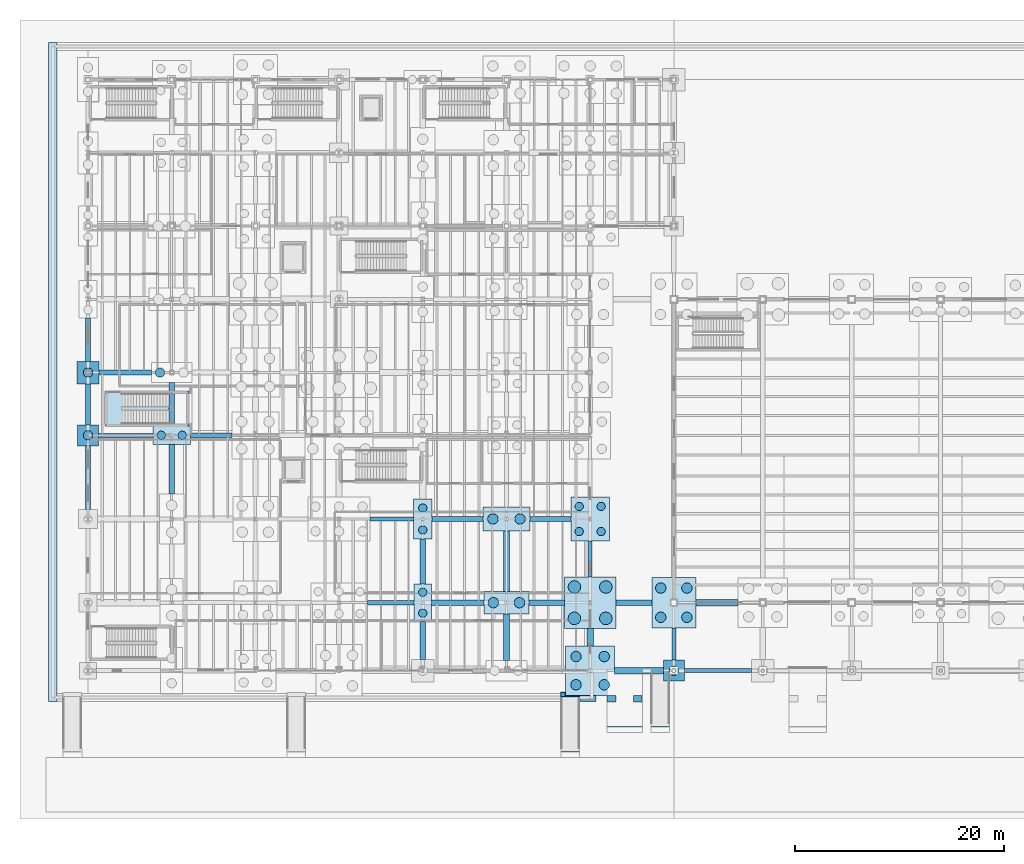
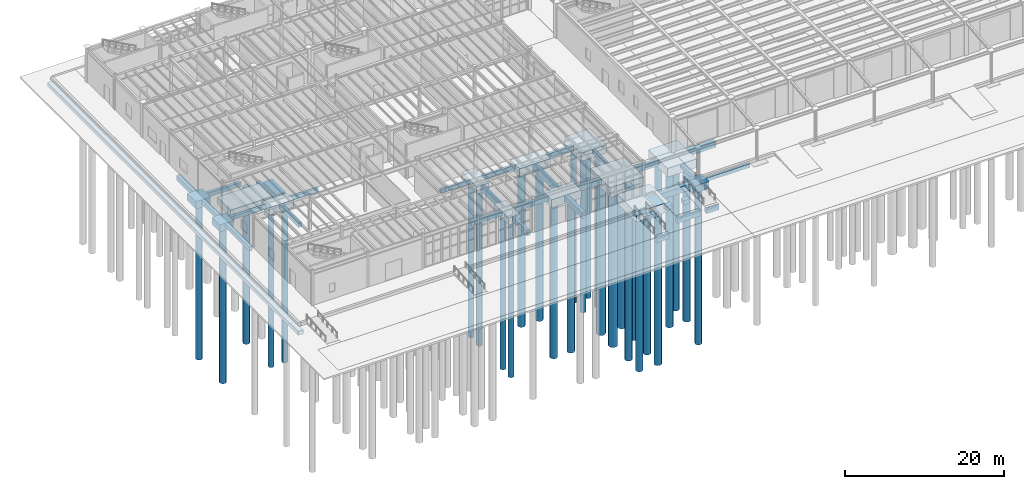
# One storey, part 2 of 86: 47 footings, 30 piles.
"""IFC4 building model written with IfcOpenShell, lengths in metres."""

from ifc_helpers import new_model, si_unit, direction, frame, origin, origin_2d, place, context, subcontext, project, spatial, polyline, rectangle, circle, outline, extrude, material, material_profile, profile_set, type_object, element, save


model = new_model("IFC4")

# Units and contexts
model_context = context("Model", 3, precision=1e-05, world=origin(), true_north=direction((0.0, 1.0)))
body_context = subcontext(model_context, "Body", "Model", "MODEL_VIEW")
ifc_project = project(units=[si_unit("LENGTHUNIT", "METRE"), si_unit("AREAUNIT", "SQUARE_METRE"), si_unit("VOLUMEUNIT", "CUBIC_METRE"), si_unit("PLANEANGLEUNIT", "RADIAN"), si_unit("MASSUNIT", "GRAM", prefix="KILO"), si_unit("THERMODYNAMICTEMPERATUREUNIT", "KELVIN"), si_unit("POWERUNIT", "WATT")], contexts=[model_context])

# Site, building, storey
site_placement = place(None, origin())
site = spatial("IfcSite", under=ifc_project, at=site_placement, CompositionType="ELEMENT")
building_placement = place(site_placement, origin())
building = spatial("IfcBuilding", under=site, at=building_placement, Name="Zhenchuan Central Fire Station", CompositionType="ELEMENT")
storey_placement = place(building_placement, frame((0.0, 0.0, 0.449951171875)))
storey = spatial("IfcBuildingStorey", under=building, at=storey_placement, Name="L01", CompositionType="ELEMENT", Elevation=0.449951171875)

# Footings
ifc_material_1 = material(Name="Concrete C35/45", Category="concrete")
footing_type_1 = type_object("IfcFootingType", Name="FB-380x550", PredefinedType="FOOTING_BEAM", material=ifc_material_1)
footing_1_placement = place(storey_placement, frame((0.0, 0.0, -1.0)))
element("IfcFooting", 1, at=footing_1_placement, inside=storey, type_object=footing_type_1, Name="Foundation Tie Beam FB-X-008", PredefinedType="FOOTING_BEAM", context=body_context, shape_type="SweptSolid", body=[
    extrude(outline(polyline([(57.0, -0.18994140625), (63.425048828125, -0.18994140625), (63.425048828125, 0.18994140625), (57.0, 0.18994140625), (57.0, -0.18994140625)])), origin(), (0.0, 0.0, 1.0), 0.550048828125),
])
footing_2_placement = place(storey_placement, frame((0.0, 0.0, -1.0)))
element("IfcFooting", 2, at=footing_2_placement, inside=storey, type_object=footing_type_1, Name="Foundation Tie Beam FB-X-050", PredefinedType="FOOTING_BEAM", context=body_context, shape_type="SweptSolid", body=[
    extrude(outline(polyline([(1.0, 22.31005859375), (6.199951171875, 22.31005859375), (6.199951171875, 22.68994140625), (1.0, 22.68994140625), (1.0, 22.31005859375)])), origin(), (0.0, 0.0, 1.0), 0.550048828125),
])
footing_3_placement = place(storey_placement, frame((0.0, 0.0, -1.0)))
element("IfcFooting", 3, at=footing_3_placement, inside=storey, type_object=footing_type_1, Name="Foundation Tie Beam FB-Y-169", PredefinedType="FOOTING_BEAM", context=body_context, shape_type="SweptSolid", body=[
    extrude(outline(polyline([(47.81005859375, 8.949951171875), (48.18994140625, 8.949951171875), (48.18994140625, 12.39990234375), (47.81005859375, 12.39990234375), (47.81005859375, 8.949951171875)])), origin(), (0.0, 0.0, 1.0), 0.550048828125),
])
footing_4_placement = place(storey_placement, frame((0.0, 0.0, -1.0)))
element("IfcFooting", 4, at=footing_4_placement, inside=storey, type_object=footing_type_1, Name="Foundation Tie Beam FB-Y-176", PredefinedType="FOOTING_BEAM", context=body_context, shape_type="SweptSolid", body=[
    extrude(outline(polyline([(55.81005859375, 1.0), (56.18994140625, 1.0), (56.18994140625, 4.10009765625), (55.81005859375, 4.10009765625), (55.81005859375, 1.0)])), origin(), (0.0, 0.0, 1.0), 0.550048828125),
])
footing_type_2 = type_object("IfcFootingType", Name="FB-400x600", PredefinedType="FOOTING_BEAM", material=ifc_material_1)
footing_5_placement = place(storey_placement, frame((0.0, 0.0, -1.050048828125)))
element("IfcFooting", 5, at=footing_5_placement, inside=storey, type_object=footing_type_2, Name="Foundation Tie Beam FB-X-044", PredefinedType="FOOTING_BEAM", context=body_context, shape_type="SweptSolid", body=[
    extrude(outline(polyline([(26.949951171875, 14.300048828125), (31.10009765625, 14.300048828125), (31.10009765625, 14.699951171875), (26.949951171875, 14.699951171875), (26.949951171875, 14.300048828125)])), origin(), (0.0, 0.0, 1.0), 0.60009765625),
])
footing_6_placement = place(storey_placement, frame((0.0, 0.0, -1.050048828125)))
element("IfcFooting", 6, at=footing_6_placement, inside=storey, type_object=footing_type_2, Name="Foundation Tie Beam FB-X-051", PredefinedType="FOOTING_BEAM", context=body_context, shape_type="SweptSolid", body=[
    extrude(outline(polyline([(9.800048828125, 22.300048828125), (13.75, 22.300048828125), (13.75, 22.699951171875), (9.800048828125, 22.699951171875), (9.800048828125, 22.300048828125)])), origin(), (0.0, 0.0, 1.0), 0.60009765625),
])
footing_type_3 = type_object("IfcFootingType", Name="FB-450x650", PredefinedType="FOOTING_BEAM", material=ifc_material_1)
footing_7_placement = place(storey_placement, frame((0.0, 0.0, -1.099853515625)))
element("IfcFooting", 7, at=footing_7_placement, inside=storey, type_object=footing_type_3, Name="Foundation Tie Beam FB-X-024", PredefinedType="FOOTING_BEAM", context=body_context, shape_type="SweptSolid", body=[
    extrude(outline(polyline([(26.699951171875, 6.27490234375), (31.14990234375, 6.27490234375), (31.14990234375, 6.72509765625), (26.699951171875, 6.72509765625), (26.699951171875, 6.27490234375)])), origin(), (0.0, 0.0, 1.0), 0.64990234375),
])
footing_8_placement = place(storey_placement, frame((0.0, 0.0, -1.099853515625)))
element("IfcFooting", 8, at=footing_8_placement, inside=storey, type_object=footing_type_3, Name="Foundation Tie Beam FB-X-045", PredefinedType="FOOTING_BEAM", context=body_context, shape_type="SweptSolid", body=[
    extrude(outline(polyline([(32.89990234375, 14.27490234375), (37.75, 14.27490234375), (37.75, 14.72509765625), (32.89990234375, 14.72509765625), (32.89990234375, 14.27490234375)])), origin(), (0.0, 0.0, 1.0), 0.64990234375),
])
footing_9_placement = place(storey_placement, frame((0.0, 0.0, -1.099853515625)))
element("IfcFooting", 9, at=footing_9_placement, inside=storey, type_object=footing_type_3, Name="Foundation Tie Beam FB-X-059", PredefinedType="FOOTING_BEAM", context=body_context, shape_type="SweptSolid", body=[
    extrude(outline(polyline([(1.074951171875, 28.27490234375), (6.050048828125, 28.27490234375), (6.050048828125, 28.72509765625), (1.074951171875, 28.72509765625), (1.074951171875, 28.27490234375)])), origin(), (0.0, 0.0, 1.0), 0.64990234375),
])
footing_10_placement = place(storey_placement, frame((0.0, 0.0, -1.099853515625)))
element("IfcFooting", 10, at=footing_10_placement, inside=storey, type_object=footing_type_3, Name="Foundation Tie Beam FB-Y-122", PredefinedType="FOOTING_BEAM", context=body_context, shape_type="SweptSolid", body=[
    extrude(outline(polyline([(-0.22509765625, 15.425048828125), (0.22509765625, 15.425048828125), (0.22509765625, 21.5), (-0.22509765625, 21.5), (-0.22509765625, 15.425048828125)])), origin(), (0.0, 0.0, 1.0), 0.64990234375),
])
footing_type_4 = type_object("IfcFootingType", Name="FB-500x700", PredefinedType="FOOTING_BEAM", material=ifc_material_1)
footing_11_placement = place(storey_placement, frame((0.0, 0.0, -1.14990234375)))
element("IfcFooting", 11, at=footing_11_placement, inside=storey, type_object=footing_type_4, Name="Foundation Tie Beam FB-X-025", PredefinedType="FOOTING_BEAM", context=body_context, shape_type="SweptSolid", body=[
    extrude(outline(polyline([(32.85009765625, 6.25), (37.85009765625, 6.25), (37.85009765625, 6.75), (32.85009765625, 6.75), (32.85009765625, 6.25)])), origin(), (0.0, 0.0, 1.0), 0.699951171875),
])
footing_12_placement = place(storey_placement, frame((0.0, 0.0, -1.14990234375)))
element("IfcFooting", 12, at=footing_12_placement, inside=storey, type_object=footing_type_4, Name="Foundation Tie Beam FB-X-046", PredefinedType="FOOTING_BEAM", context=body_context, shape_type="SweptSolid", body=[
    extrude(outline(polyline([(42.25, 14.25), (46.14990234375, 14.25), (46.14990234375, 14.75), (42.25, 14.75), (42.25, 14.25)])), origin(), (0.0, 0.0, 1.0), 0.699951171875),
])
footing_13_placement = place(storey_placement, frame((0.0, 0.0, -1.14990234375)))
element("IfcFooting", 13, at=footing_13_placement, inside=storey, type_object=footing_type_4, Name="Foundation Tie Beam FB-Y-123", PredefinedType="FOOTING_BEAM", context=body_context, shape_type="SweptSolid", body=[
    extrude(outline(polyline([(-0.25, 23.5), (0.25, 23.5), (0.25, 27.425048828125), (-0.25, 27.425048828125), (-0.25, 23.5)])), origin(), (0.0, 0.0, 1.0), 0.699951171875),
])
footing_14_placement = place(storey_placement, frame((0.0, 0.0, -1.14990234375)))
element("IfcFooting", 14, at=footing_14_placement, inside=storey, type_object=footing_type_4, Name="Foundation Tie Beam FB-Y-130", PredefinedType="FOOTING_BEAM", context=body_context, shape_type="SweptSolid", body=[
    extrude(outline(polyline([(7.75, 16.89990234375), (8.25, 16.89990234375), (8.25, 21.625), (7.75, 21.625), (7.75, 16.89990234375)])), origin(), (0.0, 0.0, 1.0), 0.699951171875),
])
footing_type_5 = type_object("IfcFootingType", Name="FB-500x800", PredefinedType="FOOTING_BEAM", material=ifc_material_1)
footing_15_placement = place(storey_placement, frame((0.0, 0.0, -1.25)))
element("IfcFooting", 15, at=footing_15_placement, inside=storey, type_object=footing_type_5, Name="Foundation Tie Beam FB-X-026", PredefinedType="FOOTING_BEAM", context=body_context, shape_type="SweptSolid", body=[
    extrude(outline(polyline([(42.14990234375, 6.25), (45.550048828125, 6.25), (45.550048828125, 6.75), (42.14990234375, 6.75), (42.14990234375, 6.25)])), origin(), (0.0, 0.0, 1.0), 0.800048828125),
])
footing_16_placement = place(storey_placement, frame((0.0, 0.0, -1.25)))
element("IfcFooting", 16, at=footing_16_placement, inside=storey, type_object=footing_type_5, Name="Foundation Tie Beam FB-Y-124", PredefinedType="FOOTING_BEAM", context=body_context, shape_type="SweptSolid", body=[
    extrude(outline(polyline([(-0.25, 29.574951171875), (0.25, 29.574951171875), (0.25, 33.699951171875), (-0.25, 33.699951171875), (-0.25, 29.574951171875)])), origin(), (0.0, 0.0, 1.0), 0.800048828125),
])
footing_17_placement = place(storey_placement, frame((0.0, 0.0, -1.25)))
element("IfcFooting", 17, at=footing_17_placement, inside=storey, type_object=footing_type_5, Name="Foundation Tie Beam FB-Y-131", PredefinedType="FOOTING_BEAM", context=body_context, shape_type="SweptSolid", body=[
    extrude(outline(polyline([(7.75, 23.375), (8.25, 23.375), (8.25, 27.52490234375), (7.75, 27.52490234375), (7.75, 23.375)])), origin(), (0.0, 0.0, 1.0), 0.800048828125),
])
footing_18_placement = place(storey_placement, frame((0.0, 0.0, -1.25)))
element("IfcFooting", 18, at=footing_18_placement, inside=storey, type_object=footing_type_5, Name="Foundation Tie Beam FB-Y-152", PredefinedType="FOOTING_BEAM", context=body_context, shape_type="SweptSolid", body=[
    extrude(outline(polyline([(31.75, 1.074951171875), (32.25, 1.074951171875), (32.25, 4.699951171875), (31.75, 4.699951171875), (31.75, 1.074951171875)])), origin(), (0.0, 0.0, 1.0), 0.800048828125),
])
footing_type_6 = type_object("IfcFootingType", Name="FB-550x850", PredefinedType="FOOTING_BEAM", material=ifc_material_1)
footing_19_placement = place(storey_placement, frame((0.0, 0.0, -1.300048828125)))
element("IfcFooting", 19, at=footing_19_placement, inside=storey, type_object=footing_type_6, Name="Foundation Tie Beam FB-X-027", PredefinedType="FOOTING_BEAM", context=body_context, shape_type="SweptSolid", body=[
    extrude(outline(polyline([(50.449951171875, 6.22509765625), (53.89990234375, 6.22509765625), (53.89990234375, 6.77490234375), (50.449951171875, 6.77490234375), (50.449951171875, 6.22509765625)])), origin(), (0.0, 0.0, 1.0), 0.85009765625),
])
footing_20_placement = place(storey_placement, frame((0.0, 0.0, -1.300048828125)))
element("IfcFooting", 20, at=footing_20_placement, inside=storey, type_object=footing_type_6, Name="Foundation Tie Beam FB-Y-153", PredefinedType="FOOTING_BEAM", context=body_context, shape_type="SweptSolid", body=[
    extrude(outline(polyline([(31.72509765625, 8.300048828125), (32.27490234375, 8.300048828125), (32.27490234375, 12.60009765625), (31.72509765625, 12.60009765625), (31.72509765625, 8.300048828125)])), origin(), (0.0, 0.0, 1.0), 0.85009765625),
])
footing_21_placement = place(storey_placement, frame((0.0, 0.0, -1.300048828125)))
element("IfcFooting", 21, at=footing_21_placement, inside=storey, type_object=footing_type_6, Name="Foundation Tie Beam FB-Y-160", PredefinedType="FOOTING_BEAM", context=body_context, shape_type="SweptSolid", body=[
    extrude(outline(polyline([(39.72509765625, 0.97509765625), (40.27490234375, 0.97509765625), (40.27490234375, 5.425048828125), (39.72509765625, 5.425048828125), (39.72509765625, 0.97509765625)])), origin(), (0.0, 0.0, 1.0), 0.85009765625),
])
footing_type_7 = type_object("IfcFootingType", Name="FB-600x900", PredefinedType="FOOTING_BEAM", material=ifc_material_1)
footing_22_placement = place(storey_placement, frame((0.0, 0.0, -1.349853515625)))
element("IfcFooting", 22, at=footing_22_placement, inside=storey, type_object=footing_type_7, Name="Foundation Tie Beam FB-X-007", PredefinedType="FOOTING_BEAM", context=body_context, shape_type="SweptSolid", body=[
    extrude(outline(polyline([(50.35009765625, -0.300048828125), (55.0, -0.300048828125), (55.0, 0.300048828125), (50.35009765625, 0.300048828125), (50.35009765625, -0.300048828125)])), origin(), (0.0, 0.0, 1.0), 0.89990234375),
])
footing_23_placement = place(storey_placement, frame((0.0, 0.0, -1.349853515625)))
element("IfcFooting", 23, at=footing_23_placement, inside=storey, type_object=footing_type_7, Name="Foundation Tie Beam FB-X-028", PredefinedType="FOOTING_BEAM", context=body_context, shape_type="SweptSolid", body=[
    extrude(outline(polyline([(58.10009765625, 6.199951171875), (62.14990234375, 6.199951171875), (62.14990234375, 6.800048828125), (58.10009765625, 6.800048828125), (58.10009765625, 6.199951171875)])), origin(), (0.0, 0.0, 1.0), 0.89990234375),
])
footing_24_placement = place(storey_placement, frame((0.0, 0.0, -1.349853515625)))
element("IfcFooting", 24, at=footing_24_placement, inside=storey, type_object=footing_type_7, Name="Foundation Tie Beam FB-Y-161", PredefinedType="FOOTING_BEAM", context=body_context, shape_type="SweptSolid", body=[
    extrude(outline(polyline([(39.699951171875, 7.574951171875), (40.300048828125, 7.574951171875), (40.300048828125, 13.35009765625), (39.699951171875, 13.35009765625), (39.699951171875, 7.574951171875)])), origin(), (0.0, 0.0, 1.0), 0.89990234375),
])
footing_25_placement = place(storey_placement, frame((0.0, 0.0, -1.349853515625)))
element("IfcFooting", 25, at=footing_25_placement, inside=storey, type_object=footing_type_7, Name="Foundation Tie Beam FB-Y-168", PredefinedType="FOOTING_BEAM", context=body_context, shape_type="SweptSolid", body=[
    extrude(outline(polyline([(47.699951171875, 2.35009765625), (48.300048828125, 2.35009765625), (48.300048828125, 4.050048828125), (47.699951171875, 4.050048828125), (47.699951171875, 2.35009765625)])), origin(), (0.0, 0.0, 1.0), 0.89990234375),
])
ifc_material_2 = material(Name="Concrete C40/50", Category="concrete")
footing_type_8 = type_object("IfcFootingType", Name="PAD-CORE", PredefinedType="PAD_FOOTING", material=ifc_material_2)
footing_26_placement = place(storey_placement, frame((0.0, 0.0, -1.300048828125)))
element("IfcFooting", 26, at=footing_26_placement, inside=storey, type_object=footing_type_8, Name="ST-03 Core Foundation Mat Footing", PredefinedType="PAD_FOOTING", context=body_context, shape_type="SweptSolid", body=[
    extrude(outline(polyline([(1.625, 23.375), (1.625, 26.72509765625), (7.7099609375, 26.72509765625), (7.7099609375, 23.4150390625), (6.159912109375, 23.4150390625), (6.159912109375, 23.375), (1.625, 23.375)])), origin(), (0.0, 0.0, 1.0), 1.050048828125),
])
footing_27_placement = place(storey_placement, frame((0.0, 0.0, -1.300048828125)))
element("IfcFooting", 27, at=footing_27_placement, inside=storey, type_object=footing_type_8, Name="ST-03 Core Foundation Mat Footing-2", PredefinedType="PAD_FOOTING", context=body_context, shape_type="SweptSolid", body=[
    extrude(outline(polyline([(9.635009765625, 26.72509765625), (9.635009765625, 23.4150390625), (8.2900390625, 23.4150390625), (8.2900390625, 26.72509765625), (9.635009765625, 26.72509765625)])), origin(), (0.0, 0.0, 1.0), 1.050048828125),
])
footing_type_9 = type_object("IfcFootingType", Name="PAD-RMP", PredefinedType="PAD_FOOTING", material=ifc_material_1)
footing_28_placement = place(storey_placement, frame((46.10009765625, -8.010009765625, -1.31005859375), z_axis=(0.0, 0.0, 1.0), x_axis=(1.0, 0.0, 0.0)))
element("IfcFooting", 28, at=footing_28_placement, inside=storey, type_object=footing_type_9, Name="Boulevard Canopy Accessible Ramp RP-02 Toe Pad Footing", PredefinedType="PAD_FOOTING", context=body_context, shape_type="SweptSolid", body=[
    extrude(rectangle(XDim=1.800048828125, YDim=0.580078125, at=origin_2d()), origin(), (0.0, 0.0, 1.0), 0.60009765625),
])
footing_29_placement = place(storey_placement, frame((0.0, 0.0, -0.849853515625)))
element("IfcFooting", 29, at=footing_29_placement, inside=storey, type_object=footing_type_9, Name="Boulevard Canopy Accessible Ramp RP-02 Head Pedestal Footing", PredefinedType="PAD_FOOTING", context=body_context, shape_type="SweptSolid", body=[
    extrude(outline(polyline([(47.0, -2.47998046875), (45.199951171875, -2.47998046875), (45.199951171875, -2.080078125), (45.6201171875, -2.080078125), (45.6201171875, -2.3798828125), (47.0, -2.3798828125), (47.0, -2.47998046875)])), origin(), (0.0, 0.0, 1.0), 0.669921875),
])
footing_30_placement = place(storey_placement, frame((54.699951171875, -5.610107421875, -1.31005859375), z_axis=(0.0, 0.0, 1.0), x_axis=(1.0, 0.0, 0.0)))
element("IfcFooting", 30, at=footing_30_placement, inside=storey, type_object=footing_type_9, Name="Canopy Forecourt Accessible Ramp RP-06 Toe Pad Footing", PredefinedType="PAD_FOOTING", context=body_context, shape_type="SweptSolid", body=[
    extrude(rectangle(XDim=1.800048828125, YDim=0.580078125, at=origin_2d()), origin(), (0.0, 0.0, 1.0), 0.60009765625),
])
footing_31_placement = place(storey_placement, frame((51.300048828125, -5.610107421875, -1.31005859375), z_axis=(0.0, 0.0, 1.0), x_axis=(1.0, 0.0, 0.0)))
element("IfcFooting", 31, at=footing_31_placement, inside=storey, type_object=footing_type_9, Name="Courtyard Loop Road Vehicle Ramp West Toe Pad Footing", PredefinedType="PAD_FOOTING", context=body_context, shape_type="SweptSolid", body=[
    extrude(rectangle(XDim=3.39990234375, YDim=0.580078125, at=origin_2d()), origin(), (0.0, 0.0, 1.0), 0.60009765625),
])
for number, where, z_axis, x_axis, name in (
    (32, (50.050048828125, -2.688720703125, -1.099853515625), (0.0, 0.0, 1.0), (1.0, 0.0, 0.0), "Courtyard Loop Road Vehicle Ramp West Mid Support Pad L"),
    (33, (52.550048828125, -2.688720703125, -1.099853515625), (0.0, 0.0, 1.0), (1.0, 0.0, 0.0), "Courtyard Loop Road Vehicle Ramp West Mid Support Pad R"),
):
    element("IfcFooting", number, at=place(storey_placement, frame(where, z_axis=z_axis, x_axis=x_axis)), inside=storey, type_object=footing_type_9, Name=name, PredefinedType="PAD_FOOTING", context=body_context, shape_type="SweptSolid", body=[
        extrude(rectangle(XDim=0.85009765625, YDim=0.64990234375, at=origin_2d()), origin(), (0.0, 0.0, 1.0), 0.623046875),
    ])
footing_type_10 = type_object("IfcFootingType", Name="PC-04", PredefinedType="PILE_CAP", material=ifc_material_2)
for number, where, z_axis, x_axis, name in (
    (34, (0.0, 22.5, -1.550048828125), (0.0, 0.0, 1.0), (1.0, 0.0, 0.0), "Pile Cap PC-04 at (0.0,22.5)"),
    (35, (56.0, 0.0, -1.550048828125), (0.0, 0.0, 1.0), (1.0, 0.0, 0.0), "Pile Cap PC-04 at (56.0,0.0)"),
):
    element("IfcFooting", number, at=place(storey_placement, frame(where, z_axis=z_axis, x_axis=x_axis)), inside=storey, type_object=footing_type_10, Name=name, PredefinedType="PILE_CAP", context=body_context, shape_type="SweptSolid", body=[
        extrude(rectangle(XDim=2.0, YDim=2.0, at=origin_2d()), origin(), (0.0, 0.0, 1.0), 1.10009765625),
    ])
footing_type_11 = type_object("IfcFootingType", Name="PC-05", PredefinedType="PILE_CAP", material=ifc_material_2)
footing_32_placement = place(storey_placement, frame((0.0, 28.5, -1.570068359375), z_axis=(0.0, 0.0, 1.0), x_axis=(1.0, 0.0, 0.0)))
element("IfcFooting", 36, at=footing_32_placement, inside=storey, type_object=footing_type_11, Name="Pile Cap PC-05 at (0.0,28.5)", PredefinedType="PILE_CAP", context=body_context, shape_type="SweptSolid", body=[
    extrude(rectangle(XDim=2.14990234375, YDim=2.14990234375, at=origin_2d()), origin(), (0.0, 0.0, 1.0), 1.1201171875),
])
footing_type_12 = type_object("IfcFootingType", Name="PC-06", PredefinedType="PILE_CAP", material=ifc_material_2)
footing_33_placement = place(storey_placement, frame((32.0, 6.5, -1.550048828125), z_axis=(0.0, 0.0, 1.0), x_axis=(1.0, 0.0, 0.0)))
element("IfcFooting", 37, at=footing_33_placement, inside=storey, type_object=footing_type_12, Name="Pile Cap PC-06 at (32.0,6.5)", PredefinedType="PILE_CAP", context=body_context, shape_type="SweptSolid", body=[
    extrude(rectangle(XDim=1.699951171875, YDim=3.60009765625, at=origin_2d()), origin(), (0.0, 0.0, 1.0), 1.10009765625),
])
footing_type_13 = type_object("IfcFootingType", Name="PC-07", PredefinedType="PILE_CAP", material=ifc_material_2)
footing_34_placement = place(storey_placement, frame((32.0, 14.5, -1.599853515625), z_axis=(0.0, 0.0, 1.0), x_axis=(1.0, 0.0, 0.0)))
element("IfcFooting", 38, at=footing_34_placement, inside=storey, type_object=footing_type_13, Name="Pile Cap PC-07 at (32.0,14.5)", PredefinedType="PILE_CAP", context=body_context, shape_type="SweptSolid", body=[
    extrude(rectangle(XDim=1.800048828125, YDim=3.800048828125, at=origin_2d()), origin(), (0.0, 0.0, 1.0), 1.14990234375),
])
footing_type_14 = type_object("IfcFootingType", Name="PC-13", PredefinedType="PILE_CAP", material=ifc_material_2)
footing_35_placement = place(storey_placement, frame((8.0, 22.5, -1.550048828125), z_axis=(0.0, 0.0, 1.0), x_axis=(1.0, 0.0, 0.0)))
element("IfcFooting", 39, at=footing_35_placement, inside=storey, type_object=footing_type_14, Name="Pile Cap PC-13 at (8.0,22.5)", PredefinedType="PILE_CAP", context=body_context, shape_type="SweptSolid", body=[
    extrude(rectangle(XDim=3.60009765625, YDim=1.75, at=origin_2d()), origin(), (0.0, 0.0, 1.0), 1.10009765625),
])
footing_type_15 = type_object("IfcFootingType", Name="PC-15", PredefinedType="PILE_CAP", material=ifc_material_2)
footing_36_placement = place(storey_placement, frame((40.0, 6.5, -1.699951171875), z_axis=(0.0, 0.0, 1.0), x_axis=(1.0, 0.0, 0.0)))
element("IfcFooting", 40, at=footing_36_placement, inside=storey, type_object=footing_type_15, Name="Pile Cap PC-15 at (40.0,6.5)", PredefinedType="PILE_CAP", context=body_context, shape_type="SweptSolid", body=[
    extrude(rectangle(XDim=4.300048828125, YDim=2.14990234375, at=origin_2d()), origin(), (0.0, 0.0, 1.0), 1.25),
])
footing_type_16 = type_object("IfcFootingType", Name="PC-16", PredefinedType="PILE_CAP", material=ifc_material_2)
footing_37_placement = place(storey_placement, frame((40.0, 14.5, -1.72998046875), z_axis=(0.0, 0.0, 1.0), x_axis=(1.0, 0.0, 0.0)))
element("IfcFooting", 41, at=footing_37_placement, inside=storey, type_object=footing_type_16, Name="Pile Cap PC-16 at (40.0,14.5)", PredefinedType="PILE_CAP", context=body_context, shape_type="SweptSolid", body=[
    extrude(rectangle(XDim=4.5, YDim=2.300048828125, at=origin_2d()), origin(), (0.0, 0.0, 1.0), 1.280029296875),
])
footing_type_17 = type_object("IfcFootingType", Name="PC-23", PredefinedType="PILE_CAP", material=ifc_material_2)
footing_38_placement = place(storey_placement, frame((48.0, 0.0, -1.89990234375), z_axis=(0.0, 0.0, 1.0), x_axis=(1.0, 0.0, 0.0)))
element("IfcFooting", 42, at=footing_38_placement, inside=storey, type_object=footing_type_17, Name="Pile Cap PC-23 at (48.0,0.0)", PredefinedType="PILE_CAP", context=body_context, shape_type="SweptSolid", body=[
    extrude(rectangle(XDim=4.699951171875, YDim=4.699951171875, at=origin_2d()), origin(), (0.0, 0.0, 1.0), 1.449951171875),
])
footing_type_18 = type_object("IfcFootingType", Name="PC-24", PredefinedType="PILE_CAP", material=ifc_material_2)
footing_39_placement = place(storey_placement, frame((48.0, 6.5, -1.949951171875), z_axis=(0.0, 0.0, 1.0), x_axis=(1.0, 0.0, 0.0)))
element("IfcFooting", 43, at=footing_39_placement, inside=storey, type_object=footing_type_18, Name="Pile Cap PC-24 at (48.0,6.5)", PredefinedType="PILE_CAP", context=body_context, shape_type="SweptSolid", body=[
    extrude(rectangle(XDim=4.89990234375, YDim=4.89990234375, at=origin_2d()), origin(), (0.0, 0.0, 1.0), 1.5),
])
footing_type_19 = type_object("IfcFootingType", Name="PC-25", PredefinedType="PILE_CAP", material=ifc_material_2)
footing_40_placement = place(storey_placement, frame((48.0, 14.5, -1.699951171875), z_axis=(0.0, 0.0, 1.0), x_axis=(1.0, 0.0, 0.0)))
element("IfcFooting", 44, at=footing_40_placement, inside=storey, type_object=footing_type_19, Name="Pile Cap PC-25 at (48.0,14.5)", PredefinedType="PILE_CAP", context=body_context, shape_type="SweptSolid", body=[
    extrude(rectangle(XDim=3.699951171875, YDim=4.199951171875, at=origin_2d()), origin(), (0.0, 0.0, 1.0), 1.25),
])
footing_type_20 = type_object("IfcFootingType", Name="PC-27", PredefinedType="PILE_CAP", material=ifc_material_2)
footing_41_placement = place(storey_placement, frame((56.0, 6.5, -1.800048828125), z_axis=(0.0, 0.0, 1.0), x_axis=(1.0, 0.0, 0.0)))
element("IfcFooting", 45, at=footing_41_placement, inside=storey, type_object=footing_type_20, Name="Pile Cap PC-27 at (56.0,6.5)", PredefinedType="PILE_CAP", context=body_context, shape_type="SweptSolid", body=[
    extrude(rectangle(XDim=4.199951171875, YDim=4.800048828125, at=origin_2d()), origin(), (0.0, 0.0, 1.0), 1.35009765625),
])

# Piles
ifc_material_profile_1 = material_profile(ifc_material_1, circle(Radius=0.5, at=origin_2d()), Name="PILE D1000")
ifc_profile_set_1 = profile_set([ifc_material_profile_1], Name="Concrete C35/45")
pile_type_1 = type_object("IfcPileType", Name="PILE-D1000", PredefinedType="BORED", material=ifc_profile_set_1)
for number, where, z_axis, x_axis, name in (
    (46, (38.75, 6.5, -1.599853515625), (0.0, 0.0, -1.0), (1.0, 0.0, 0.0), "Bored Pile 047-1"),
    (47, (41.25, 6.5, -1.599853515625), (0.0, 0.0, -1.0), (1.0, 0.0, 0.0), "Bored Pile 047-2"),
):
    element("IfcPile", number, at=place(storey_placement, frame(where, z_axis=z_axis, x_axis=x_axis)), inside=storey, type_object=pile_type_1, Name=name, PredefinedType="BORED", context=body_context, shape_type="SweptSolid", body=[
        extrude(circle(Radius=0.5, at=origin_2d()), origin(), (0.0, 0.0, 1.0), 23.85009765625),
    ])
for number, where, z_axis, x_axis, name in (
    (48, (38.699951171875, 14.5, -1.6298828125), (0.0, 0.0, -1.0), (1.0, 0.0, 0.0), "Bored Pile 048-1"),
    (49, (41.300048828125, 14.5, -1.6298828125), (0.0, 0.0, -1.0), (1.0, 0.0, 0.0), "Bored Pile 048-2"),
):
    element("IfcPile", number, at=place(storey_placement, frame(where, z_axis=z_axis, x_axis=x_axis)), inside=storey, type_object=pile_type_1, Name=name, PredefinedType="BORED", context=body_context, shape_type="SweptSolid", body=[
        extrude(circle(Radius=0.5, at=origin_2d()), origin(), (0.0, 0.0, 1.0), 23.820068359375),
    ])
for number, where, z_axis, x_axis, name in (
    (50, (46.64990234375, -1.35009765625, -1.800048828125), (0.0, 0.0, -1.0), (1.0, 0.0, 0.0), "Bored Pile 055-1"),
    (51, (49.35009765625, -1.35009765625, -1.800048828125), (0.0, 0.0, -1.0), (1.0, 0.0, 0.0), "Bored Pile 055-2"),
    (52, (46.64990234375, 1.35009765625, -1.800048828125), (0.0, 0.0, -1.0), (1.0, 0.0, 0.0), "Bored Pile 055-3"),
    (53, (49.35009765625, 1.35009765625, -1.800048828125), (0.0, 0.0, -1.0), (1.0, 0.0, 0.0), "Bored Pile 055-4"),
):
    element("IfcPile", number, at=place(storey_placement, frame(where, z_axis=z_axis, x_axis=x_axis)), inside=storey, type_object=pile_type_1, Name=name, PredefinedType="BORED", context=body_context, shape_type="SweptSolid", body=[
        extrude(circle(Radius=0.5, at=origin_2d()), origin(), (0.0, 0.0, 1.0), 23.64990234375),
    ])
for number, where, z_axis, x_axis, name in (
    (54, (54.75, 5.10009765625, -1.699951171875), (0.0, 0.0, -1.0), (1.0, 0.0, 0.0), "Bored Pile 065-1"),
    (55, (57.25, 5.10009765625, -1.699951171875), (0.0, 0.0, -1.0), (1.0, 0.0, 0.0), "Bored Pile 065-2"),
    (56, (54.75, 7.89990234375, -1.699951171875), (0.0, 0.0, -1.0), (1.0, 0.0, 0.0), "Bored Pile 065-3"),
    (57, (57.25, 7.89990234375, -1.699951171875), (0.0, 0.0, -1.0), (1.0, 0.0, 0.0), "Bored Pile 065-4"),
):
    element("IfcPile", number, at=place(storey_placement, frame(where, z_axis=z_axis, x_axis=x_axis)), inside=storey, type_object=pile_type_1, Name=name, PredefinedType="BORED", context=body_context, shape_type="SweptSolid", body=[
        extrude(circle(Radius=0.5, at=origin_2d()), origin(), (0.0, 0.0, 1.0), 23.75),
    ])
ifc_material_profile_2 = material_profile(ifc_material_1, circle(Radius=0.60009765625, at=origin_2d()), Name="PILE D1200")
ifc_profile_set_2 = profile_set([ifc_material_profile_2], Name="Concrete C35/45")
pile_type_2 = type_object("IfcPileType", Name="PILE-D1200", PredefinedType="BORED", material=ifc_profile_set_2)
for number, where, z_axis, x_axis, name in (
    (58, (46.5, 5.0, -1.849853515625), (0.0, 0.0, -1.0), (1.0, 0.0, 0.0), "Bored Pile 056-1"),
    (59, (49.5, 5.0, -1.849853515625), (0.0, 0.0, -1.0), (1.0, 0.0, 0.0), "Bored Pile 056-2"),
    (60, (46.5, 8.0, -1.849853515625), (0.0, 0.0, -1.0), (1.0, 0.0, 0.0), "Bored Pile 056-3"),
    (61, (49.5, 8.0, -1.849853515625), (0.0, 0.0, -1.0), (1.0, 0.0, 0.0), "Bored Pile 056-4"),
):
    element("IfcPile", number, at=place(storey_placement, frame(where, z_axis=z_axis, x_axis=x_axis)), inside=storey, type_object=pile_type_2, Name=name, PredefinedType="BORED", context=body_context, shape_type="SweptSolid", body=[
        extrude(circle(Radius=0.60009765625, at=origin_2d()), origin(), (0.0, 0.0, 1.0), 23.60009765625),
    ])
ifc_material_profile_3 = material_profile(ifc_material_1, circle(Radius=0.39990234375, at=origin_2d()), Name="PILE D800")
ifc_profile_set_3 = profile_set([ifc_material_profile_3], Name="Concrete C35/45")
pile_type_3 = type_object("IfcPileType", Name="PILE-D800", PredefinedType="BORED", material=ifc_profile_set_3)
for number, where, z_axis, x_axis, name in (
    (62, (7.0, 22.5, -1.449951171875), (0.0, 0.0, -1.0), (1.0, 0.0, 0.0), "Bored Pile 013-1"),
    (63, (9.0, 22.5, -1.449951171875), (0.0, 0.0, -1.0), (1.0, 0.0, 0.0), "Bored Pile 013-2"),
    (64, (32.0, 5.5, -1.449951171875), (0.0, 0.0, -1.0), (1.0, 0.0, 0.0), "Bored Pile 038-1"),
    (65, (32.0, 7.5, -1.449951171875), (0.0, 0.0, -1.0), (1.0, 0.0, 0.0), "Bored Pile 038-2"),
):
    element("IfcPile", number, at=place(storey_placement, frame(where, z_axis=z_axis, x_axis=x_axis)), inside=storey, type_object=pile_type_3, Name=name, PredefinedType="BORED", context=body_context, shape_type="SweptSolid", body=[
        extrude(circle(Radius=0.39990234375, at=origin_2d()), origin(), (0.0, 0.0, 1.0), 24.0),
    ])
for number, where, z_axis, x_axis, name in (
    (66, (32.0, 13.449951171875, -1.5), (0.0, 0.0, -1.0), (1.0, 0.0, 0.0), "Bored Pile 039-1"),
    (67, (32.0, 15.550048828125, -1.5), (0.0, 0.0, -1.0), (1.0, 0.0, 0.0), "Bored Pile 039-2"),
):
    element("IfcPile", number, at=place(storey_placement, frame(where, z_axis=z_axis, x_axis=x_axis)), inside=storey, type_object=pile_type_3, Name=name, PredefinedType="BORED", context=body_context, shape_type="SweptSolid", body=[
        extrude(circle(Radius=0.39990234375, at=origin_2d()), origin(), (0.0, 0.0, 1.0), 23.949951171875),
    ])
for number, where, z_axis, x_axis, name in (
    (68, (46.949951171875, 13.300048828125, -1.599853515625), (0.0, 0.0, -1.0), (1.0, 0.0, 0.0), "Bored Pile 057-1"),
    (69, (49.050048828125, 13.300048828125, -1.599853515625), (0.0, 0.0, -1.0), (1.0, 0.0, 0.0), "Bored Pile 057-2"),
    (70, (46.949951171875, 15.699951171875, -1.599853515625), (0.0, 0.0, -1.0), (1.0, 0.0, 0.0), "Bored Pile 057-3"),
    (71, (49.050048828125, 15.699951171875, -1.599853515625), (0.0, 0.0, -1.0), (1.0, 0.0, 0.0), "Bored Pile 057-4"),
):
    element("IfcPile", number, at=place(storey_placement, frame(where, z_axis=z_axis, x_axis=x_axis)), inside=storey, type_object=pile_type_3, Name=name, PredefinedType="BORED", context=body_context, shape_type="SweptSolid", body=[
        extrude(circle(Radius=0.39990234375, at=origin_2d()), origin(), (0.0, 0.0, 1.0), 23.85009765625),
    ])
ifc_material_profile_4 = material_profile(ifc_material_1, circle(Radius=0.449951171875, at=origin_2d()), Name="PILE D900")
ifc_profile_set_4 = profile_set([ifc_material_profile_4], Name="Concrete C35/45")
pile_type_4 = type_object("IfcPileType", Name="PILE-D900", PredefinedType="BORED", material=ifc_profile_set_4)
pile_1_placement = place(storey_placement, frame((0.0, 22.5, -1.449951171875), z_axis=(0.0, 0.0, -1.0), x_axis=(1.0, 0.0, 0.0)))
element("IfcPile", 72, at=pile_1_placement, inside=storey, type_object=pile_type_4, Name="Bored Pile 004-1", PredefinedType="BORED", context=body_context, shape_type="SweptSolid", body=[
    extrude(circle(Radius=0.449951171875, at=origin_2d()), origin(), (0.0, 0.0, 1.0), 24.0),
])
pile_2_placement = place(storey_placement, frame((0.0, 28.5, -1.469970703125), z_axis=(0.0, 0.0, -1.0), x_axis=(1.0, 0.0, 0.0)))
element("IfcPile", 73, at=pile_2_placement, inside=storey, type_object=pile_type_4, Name="Bored Pile 005-1", PredefinedType="BORED", context=body_context, shape_type="SweptSolid", body=[
    extrude(circle(Radius=0.449951171875, at=origin_2d()), origin(), (0.0, 0.0, 1.0), 23.97998046875),
])
pile_3_placement = place(storey_placement, frame((6.875, 28.5, -1.550048828125), z_axis=(0.0, 0.0, -1.0), x_axis=(1.0, 0.0, 0.0)))
element("IfcPile", 74, at=pile_3_placement, inside=storey, type_object=pile_type_4, Name="Bored Pile 014-1", PredefinedType="BORED", context=body_context, shape_type="SweptSolid", body=[
    extrude(circle(Radius=0.449951171875, at=origin_2d()), origin(), (0.0, 0.0, 1.0), 23.89990234375),
])
pile_4_placement = place(storey_placement, frame((56.0, 0.0, -1.449951171875), z_axis=(0.0, 0.0, -1.0), x_axis=(1.0, 0.0, 0.0)))
element("IfcPile", 75, at=pile_4_placement, inside=storey, type_object=pile_type_4, Name="Bored Pile 064-1", PredefinedType="BORED", context=body_context, shape_type="SweptSolid", body=[
    extrude(circle(Radius=0.449951171875, at=origin_2d()), origin(), (0.0, 0.0, 1.0), 24.0),
])

# Footings
footing_type_21 = type_object("IfcFootingType", Name="SF-800x600", PredefinedType="STRIP_FOOTING", material=ifc_material_1)
footing_42_placement = place(storey_placement, frame((0.0, 0.0, -1.599853515625)))
element("IfcFooting", 76, at=footing_42_placement, inside=storey, type_object=footing_type_21, Name="Plinth Perimeter Strip Footing WEST 01", PredefinedType="STRIP_FOOTING", context=body_context, shape_type="SweptSolid", body=[
    extrude(outline(polyline([(-3.761962890625, -2.9619140625), (-3.761962890625, 60.06201171875), (-2.9619140625, 60.06201171875), (-2.9619140625, -2.9619140625), (-3.761962890625, -2.9619140625)])), origin(), (0.0, 0.0, 1.0), 0.599853515625),
])
footing_43_placement = place(storey_placement, frame((0.0, 0.0, -1.599853515625)))
element("IfcFooting", 77, at=footing_43_placement, inside=storey, type_object=footing_type_21, Name="Plinth Perimeter Strip Footing SW-4 09", PredefinedType="STRIP_FOOTING", context=body_context, shape_type="SweptSolid", body=[
    extrude(outline(polyline([(48.56201171875, -2.9619140625), (47.02001953125, -2.9619140625), (47.02001953125, -2.3798828125), (48.56201171875, -2.3798828125), (48.56201171875, -2.9619140625)])), origin(), (0.0, 0.0, 1.0), 0.599853515625),
])

save(model, "model.ifc")
